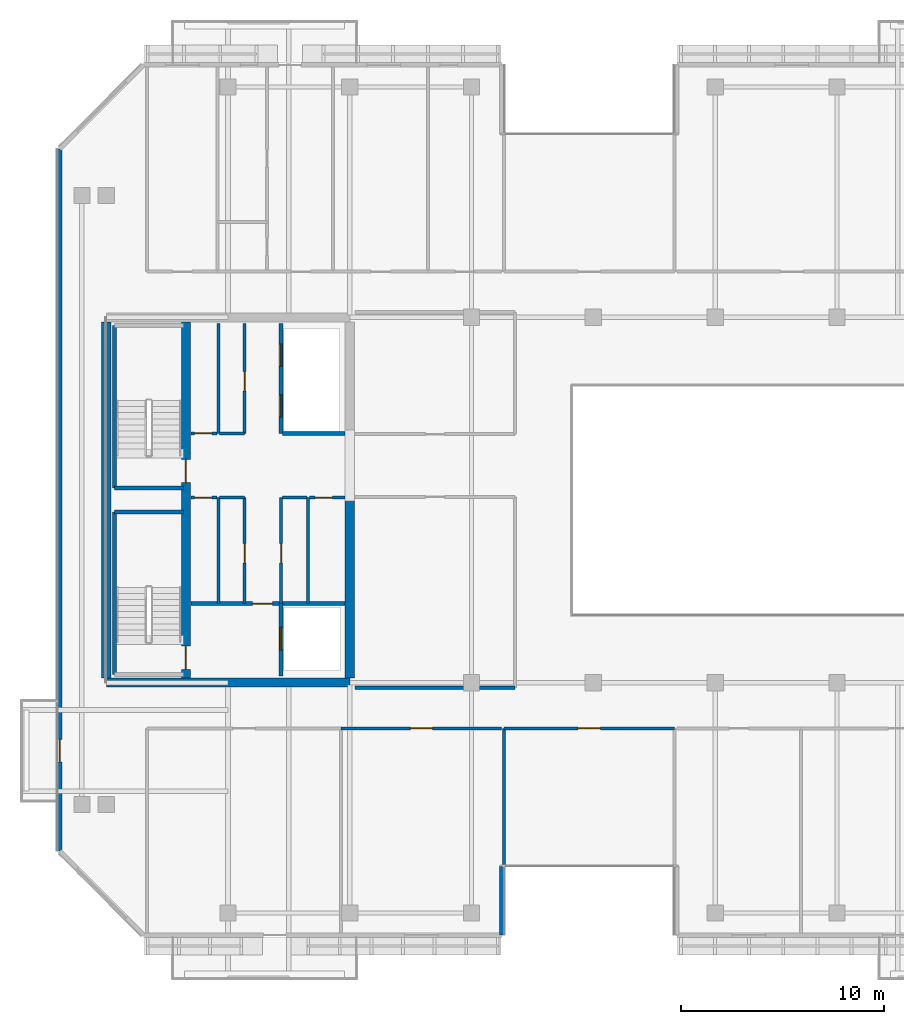
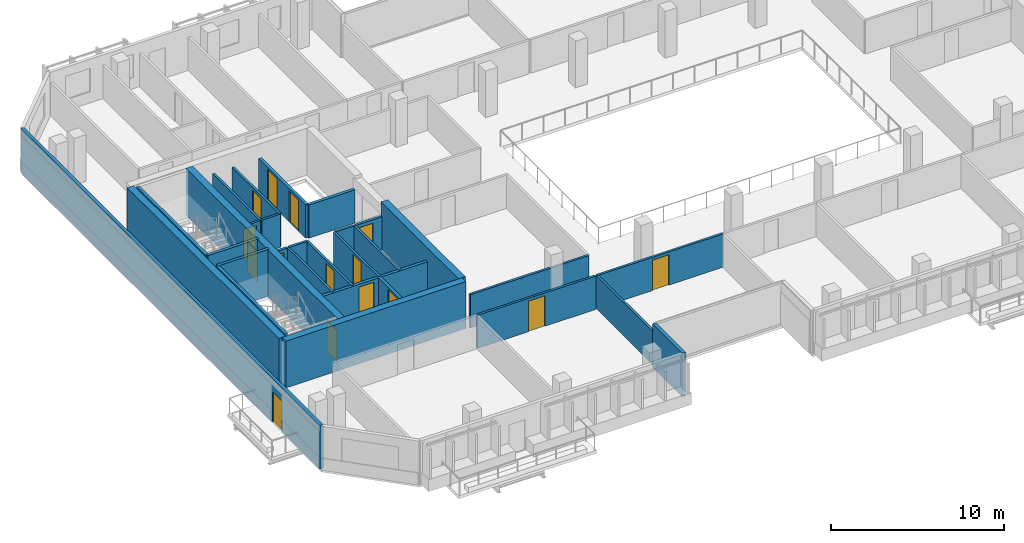
# One storey, part 10 of 22: 30 walls, 15 doors, 15 openings.
"""IFC4 building model written with IfcOpenShell, lengths in metres."""

from ifc_helpers import new_model, si_unit, direction, frame, frame_2d, origin, place, context, subcontext, project, spatial, rectangle, extrude, material, layer, layer_set, type_object, element, fill, save


model = new_model("IFC4")

# Units and contexts
model_context = context("Model", 3, precision=1e-05, world=origin(), true_north=direction((0.0, 1.0)))
body_context = subcontext(model_context, "Body", "Model", "MODEL_VIEW")
ifc_project = project(units=[si_unit("LENGTHUNIT", "METRE"), si_unit("AREAUNIT", "SQUARE_METRE"), si_unit("VOLUMEUNIT", "CUBIC_METRE"), si_unit("PLANEANGLEUNIT", "RADIAN"), si_unit("MASSUNIT", "GRAM", prefix="KILO")], contexts=[model_context])

# Site, building, storey
site_placement = place(None, origin())
site = spatial("IfcSite", under=ifc_project, at=site_placement, CompositionType="ELEMENT")
building_placement = place(site_placement, origin())
building = spatial("IfcBuilding", under=site, at=building_placement, Name="Tanjung Sevakor Pilgrim Tower", CompositionType="ELEMENT")
storey_placement = place(building_placement, frame((0.0, 0.0, 195.030029296875)))
storey = spatial("IfcBuildingStorey", under=building, at=storey_placement, Name="L54", CompositionType="ELEMENT", Elevation=195.030029296875)

# Walls
ifc_material_1 = material(Name="Concrete C60/75", Category="concrete")
ifc_layer_1 = layer(ifc_material_1, 0.449951171875)
ifc_layer_set_1 = layer_set([ifc_layer_1], Name="WALL-CW-450")
wall_type_1 = type_object("IfcWallType", Name="WALL-CW-450", PredefinedType="SHEAR", material=ifc_layer_set_1)
wall_1_placement = place(storey_placement, frame((24.0, 24.60009765625, 0.0), z_axis=(0.0, 0.0, 1.0), x_axis=(1.0, 0.0, 0.0)))
element("IfcWall", 1, at=wall_1_placement, inside=storey, type_object=wall_type_1, Name="L54 W Core South Shear Wall", PredefinedType="SHEAR", context=body_context, shape_type="SweptSolid", body=[
    extrude(rectangle(XDim=12.0, YDim=0.449951171875, at=frame_2d((6.0, 0.0))), origin(), (0.0, 0.0, 1.0), 3.300048828125),
])
wall_2_placement = place(storey_placement, frame((24.0, 24.824951171875, 0.0), z_axis=(0.0, 0.0, 1.0), x_axis=(0.0, 1.0, 0.0)))
element("IfcWall", 2, at=wall_2_placement, inside=storey, type_object=wall_type_1, Name="L54 W Core Outer Shear Wall", PredefinedType="SHEAR", context=body_context, shape_type="SweptSolid", body=[
    extrude(rectangle(XDim=17.550048828125, YDim=0.449951171875, at=frame_2d((8.77490234375, 0.0))), origin(), (0.0, 0.0, 1.0), 3.300048828125),
])
wall_3_placement = place(storey_placement, frame((36.0, 24.824951171875, 0.0), z_axis=(0.0, 0.0, 1.0), x_axis=(0.0, 1.0, 0.0)))
element("IfcWall", 3, at=wall_3_placement, inside=storey, type_object=wall_type_1, Name="L54 W Core Inner Shear Wall South", PredefinedType="SHEAR", context=body_context, shape_type="SweptSolid", body=[
    extrude(rectangle(XDim=8.97509765625, YDim=0.449951171875, at=frame_2d((4.487548828125, 0.0))), origin(), (0.0, 0.0, 1.0), 3.300048828125),
])

# Wall, openings, doors
wall_4_placement = place(storey_placement, frame((27.925048828125, 24.824951171875, 0.0), z_axis=(0.0, 0.0, 1.0), x_axis=(0.0, 1.0, 0.0)))
wall_4 = element("IfcWall", 4, at=wall_4_placement, inside=storey, type_object=wall_type_1, Name="L54 W Core Stair Spine Wall", PredefinedType="SHEAR", context=body_context, shape_type="SweptSolid", body=[
    extrude(rectangle(XDim=17.550048828125, YDim=0.449951171875, at=frame_2d((8.77490234375, 0.0))), origin(), (0.0, 0.0, 1.0), 3.300048828125),
])
opening_1_placement = place(wall_4_placement, frame((0.425048828125, 0.0, 0.0)))
opening_1 = element("IfcOpeningElement", 5, at=opening_1_placement, cuts=wall_4, Name="Opening ID-ST1", PredefinedType="OPENING", context=body_context, shape_type="SweptSolid", body=[
    extrude(rectangle(XDim=1.14990234375, YDim=2.14990234375, at=frame_2d((0.574951171875, 1.074951171875))), frame((0.0, 0.23486328125, 0.0), z_axis=(0.0, -1.0, 0.0), x_axis=(1.0, 0.0, 0.0)), (0.0, 0.0, 1.0), 0.469970703125),
])
opening_2_placement = place(wall_4_placement, frame((9.625, 0.0, 0.0)))
opening_2 = element("IfcOpeningElement", 6, at=opening_2_placement, cuts=wall_4, Name="Opening ID-ST1", PredefinedType="OPENING", context=body_context, shape_type="SweptSolid", body=[
    extrude(rectangle(XDim=1.14990234375, YDim=2.14990234375, at=frame_2d((0.574951171875, 1.074951171875))), frame((0.0, 0.23486328125, 0.0), z_axis=(0.0, -1.0, 0.0), x_axis=(1.0, 0.0, 0.0)), (0.0, 0.0, 1.0), 0.469970703125),
])
ifc_material_2 = material(Name="Fire-Rated Steel S355J2", Category="steel")
door_type_1 = type_object("IfcDoorType", Name="DT-FIRE-1150", OperationType="NOTDEFINED", PredefinedType="DOOR", material=ifc_material_2)
door_1_placement = place(opening_1_placement, origin())
door_1 = element("IfcDoor", 7, at=door_1_placement, inside=storey, type_object=door_type_1, Name="L54 TS-W1 Stair Fire Door", OperationType="SINGLE_SWING_RIGHT", OverallHeight=2.14990234375, OverallWidth=1.14990234375, PredefinedType="DOOR", context=body_context, shape_type="SweptSolid", body=[
    extrude(rectangle(XDim=1.14990234375, YDim=2.14990234375, at=frame_2d((0.574951171875, 1.074951171875))), frame((0.0, 0.02490234375, 0.0), z_axis=(0.0, -1.0, 0.0), x_axis=(1.0, 0.0, 0.0)), (0.0, 0.0, 1.0), 0.050048828125),
])
fill(opening_1, door_1)
door_2_placement = place(opening_2_placement, origin())
door_2 = element("IfcDoor", 8, at=door_2_placement, inside=storey, type_object=door_type_1, Name="L54 TS-W2 Stair Fire Door", OperationType="SINGLE_SWING_LEFT", OverallHeight=2.14990234375, OverallWidth=1.14990234375, PredefinedType="DOOR", context=body_context, shape_type="SweptSolid", body=[
    extrude(rectangle(XDim=1.14990234375, YDim=2.14990234375, at=frame_2d((0.574951171875, 1.074951171875))), frame((0.0, 0.02490234375, 0.0), z_axis=(0.0, -1.0, 0.0), x_axis=(1.0, 0.0, 0.0)), (0.0, 0.0, 1.0), 0.050048828125),
])
fill(opening_2, door_2)

# Wall
ifc_material_3 = material(Name="Concrete C40/50", Category="concrete")
ifc_layer_2 = layer(ifc_material_3, 0.14990234375)
ifc_layer_set_2 = layer_set([ifc_layer_2], Name="WT-COMP-150")
wall_type_2 = type_object("IfcWallType", Name="WT-COMP-150", PredefinedType="SOLIDWALL", material=ifc_layer_set_2)
wall_5_placement = place(storey_placement, frame((29.52001953125, 28.5, 0.0), z_axis=(0.0, 0.0, 1.0), x_axis=(0.0, 1.0, 0.0)))
element("IfcWall", 9, at=wall_5_placement, inside=storey, type_object=wall_type_2, Name="L54 Partition IW-L54-003", PredefinedType="SOLIDWALL", context=body_context, shape_type="SweptSolid", body=[
    extrude(rectangle(XDim=5.219970703125, YDim=0.14990234375, at=frame_2d((2.60986328125, 0.0))), origin(), (0.0, 0.0, 1.0), 2.35009765625),
])

# Wall, opening, door
wall_6_placement = place(storey_placement, frame((28.169921875, 33.719970703125, 0.0), z_axis=(0.0, 0.0, 1.0), x_axis=(1.0, 0.0, 0.0)))
wall_6 = element("IfcWall", 10, at=wall_6_placement, inside=storey, type_object=wall_type_2, Name="L54 Partition IW-L54-004", PredefinedType="SOLIDWALL", context=body_context, shape_type="SweptSolid", body=[
    extrude(rectangle(XDim=1.280029296875, YDim=0.14990234375, at=frame_2d((0.64013671875, 0.0))), origin(), (0.0, 0.0, 1.0), 2.35009765625),
])
opening_3_placement = place(wall_6_placement, frame((0.179931640625, 0.0, 0.0)))
opening_3 = element("IfcOpeningElement", 11, at=opening_3_placement, cuts=wall_6, Name="Opening ID-FD3", PredefinedType="OPENING", context=body_context, shape_type="SweptSolid", body=[
    extrude(rectangle(XDim=0.85009765625, YDim=2.10009765625, at=frame_2d((0.425048828125, 1.050048828125))), frame((0.0, 0.0849609375, 0.0), z_axis=(0.0, -1.0, 0.0), x_axis=(1.0, 0.0, 0.0)), (0.0, 0.0, 1.0), 0.169921875),
])
ifc_material_4 = material(Name="Fire-Rated Timber", Category="wood")
door_type_2 = type_object("IfcDoorType", Name="DT-FIRE-850", OperationType="NOTDEFINED", PredefinedType="DOOR", material=ifc_material_4)
door_3_placement = place(opening_3_placement, origin())
door_3 = element("IfcDoor", 12, at=door_3_placement, inside=storey, type_object=door_type_2, Name="L54 Cleaner Store Door", OperationType="SINGLE_SWING_RIGHT", OverallHeight=2.10009765625, OverallWidth=0.85009765625, PredefinedType="DOOR", context=body_context, shape_type="SweptSolid", body=[
    extrude(rectangle(XDim=0.85009765625, YDim=2.10009765625, at=frame_2d((0.425048828125, 1.050048828125))), frame((0.0, 0.02490234375, 0.0), z_axis=(0.0, -1.0, 0.0), x_axis=(1.0, 0.0, 0.0)), (0.0, 0.0, 1.0), 0.050048828125),
])
fill(opening_3, door_3)

# Wall
wall_7_placement = place(storey_placement, frame((29.580078125, 33.719970703125, 0.0), z_axis=(0.0, 0.0, 1.0), x_axis=(1.0, 0.0, 0.0)))
element("IfcWall", 13, at=wall_7_placement, inside=storey, type_object=wall_type_2, Name="L54 Partition IW-L54-005", PredefinedType="SOLIDWALL", context=body_context, shape_type="SweptSolid", body=[
    extrude(rectangle(XDim=1.219970703125, YDim=0.14990234375, at=frame_2d((0.60986328125, 0.0))), origin(), (0.0, 0.0, 1.0), 2.35009765625),
])

# Wall, opening, door
wall_8_placement = place(storey_placement, frame((30.820068359375, 28.5, 0.0), z_axis=(0.0, 0.0, 1.0), x_axis=(0.0, 1.0, 0.0)))
wall_8 = element("IfcWall", 14, at=wall_8_placement, inside=storey, type_object=wall_type_2, Name="L54 Partition IW-L54-006", PredefinedType="SOLIDWALL", context=body_context, shape_type="SweptSolid", body=[
    extrude(rectangle(XDim=5.219970703125, YDim=0.14990234375, at=frame_2d((2.60986328125, 0.0))), origin(), (0.0, 0.0, 1.0), 2.35009765625),
])
opening_4_placement = place(wall_8_placement, frame((2.0, 0.0, 0.0)))
opening_4 = element("IfcOpeningElement", 15, at=opening_4_placement, cuts=wall_8, Name="Opening ID-FD2", PredefinedType="OPENING", context=body_context, shape_type="SweptSolid", body=[
    extrude(rectangle(XDim=0.949951171875, YDim=2.14990234375, at=frame_2d((0.47509765625, 1.074951171875))), frame((0.0, 0.0849609375, 0.0), z_axis=(0.0, -1.0, 0.0), x_axis=(1.0, 0.0, 0.0)), (0.0, 0.0, 1.0), 0.169921875),
])
ifc_material_5 = material(Name="Fire-Rated Timber", Category="wood")
door_type_3 = type_object("IfcDoorType", Name="DT-FIRE-950", OperationType="NOTDEFINED", PredefinedType="DOOR", material=ifc_material_5)
door_4_placement = place(opening_4_placement, origin())
door_4 = element("IfcDoor", 16, at=door_4_placement, inside=storey, type_object=door_type_3, Name="L54 Housekeeping Pantry Door", OperationType="SINGLE_SWING_LEFT", OverallHeight=2.14990234375, OverallWidth=0.949951171875, PredefinedType="DOOR", context=body_context, shape_type="SweptSolid", body=[
    extrude(rectangle(XDim=0.949951171875, YDim=2.14990234375, at=frame_2d((0.47509765625, 1.074951171875))), frame((0.0, 0.02490234375, 0.0), z_axis=(0.0, -1.0, 0.0), x_axis=(1.0, 0.0, 0.0)), (0.0, 0.0, 1.0), 0.050048828125),
])
fill(opening_4, door_4)

# Walls
wall_9_placement = place(storey_placement, frame((33.949951171875, 28.5, 0.0), z_axis=(0.0, 0.0, 1.0), x_axis=(0.0, 1.0, 0.0)))
element("IfcWall", 17, at=wall_9_placement, inside=storey, type_object=wall_type_2, Name="L54 Partition IW-L54-007", PredefinedType="SOLIDWALL", context=body_context, shape_type="SweptSolid", body=[
    extrude(rectangle(XDim=5.219970703125, YDim=0.14990234375, at=frame_2d((2.60986328125, 0.0))), origin(), (0.0, 0.0, 1.0), 2.35009765625),
])
wall_10_placement = place(storey_placement, frame((32.679931640625, 33.719970703125, 0.0), z_axis=(0.0, 0.0, 1.0), x_axis=(1.0, 0.0, 0.0)))
element("IfcWall", 18, at=wall_10_placement, inside=storey, type_object=wall_type_2, Name="L54 Partition IW-L54-008", PredefinedType="SOLIDWALL", context=body_context, shape_type="SweptSolid", body=[
    extrude(rectangle(XDim=1.2099609375, YDim=0.14990234375, at=frame_2d((0.60498046875, 0.0))), origin(), (0.0, 0.0, 1.0), 2.35009765625),
])

# Wall, opening, door
wall_11_placement = place(storey_placement, frame((34.010009765625, 33.719970703125, 0.0), z_axis=(0.0, 0.0, 1.0), x_axis=(1.0, 0.0, 0.0)))
wall_11 = element("IfcWall", 19, at=wall_11_placement, inside=storey, type_object=wall_type_2, Name="L54 Partition IW-L54-009", PredefinedType="SOLIDWALL", context=body_context, shape_type="SweptSolid", body=[
    extrude(rectangle(XDim=1.744873046875, YDim=0.14990234375, at=frame_2d((0.87255859375, 0.0))), origin(), (0.0, 0.0, 1.0), 2.35009765625),
])
opening_5_placement = place(wall_11_placement, frame((0.280029296875, 0.0, 0.0)))
opening_5 = element("IfcOpeningElement", 20, at=opening_5_placement, cuts=wall_11, Name="Opening ID-FD3", PredefinedType="OPENING", context=body_context, shape_type="SweptSolid", body=[
    extrude(rectangle(XDim=0.85009765625, YDim=2.10009765625, at=frame_2d((0.425048828125, 1.050048828125))), frame((0.0, 0.0849609375, 0.0), z_axis=(0.0, -1.0, 0.0), x_axis=(1.0, 0.0, 0.0)), (0.0, 0.0, 1.0), 0.169921875),
])
door_5_placement = place(opening_5_placement, origin())
door_5 = element("IfcDoor", 21, at=door_5_placement, inside=storey, type_object=door_type_2, Name="L54 Service Store Door", OperationType="SINGLE_SWING_RIGHT", OverallHeight=2.10009765625, OverallWidth=0.85009765625, PredefinedType="DOOR", context=body_context, shape_type="SweptSolid", body=[
    extrude(rectangle(XDim=0.85009765625, YDim=2.10009765625, at=frame_2d((0.425048828125, 1.050048828125))), frame((0.0, 0.02490234375, 0.0), z_axis=(0.0, -1.0, 0.0), x_axis=(1.0, 0.0, 0.0)), (0.0, 0.0, 1.0), 0.050048828125),
])
fill(opening_5, door_5)

wall_12_placement = place(storey_placement, frame((32.6201171875, 28.5, 0.0), z_axis=(0.0, 0.0, 1.0), x_axis=(0.0, 1.0, 0.0)))
wall_12 = element("IfcWall", 22, at=wall_12_placement, inside=storey, type_object=wall_type_2, Name="L54 Partition IW-L54-010", PredefinedType="SOLIDWALL", context=body_context, shape_type="SweptSolid", body=[
    extrude(rectangle(XDim=5.219970703125, YDim=0.14990234375, at=frame_2d((2.60986328125, 0.0))), origin(), (0.0, 0.0, 1.0), 2.35009765625),
])
opening_6_placement = place(wall_12_placement, frame((2.0, 0.0, 0.0)))
opening_6 = element("IfcOpeningElement", 23, at=opening_6_placement, cuts=wall_12, Name="Opening ID-FD2", PredefinedType="OPENING", context=body_context, shape_type="SweptSolid", body=[
    extrude(rectangle(XDim=0.949951171875, YDim=2.14990234375, at=frame_2d((0.47509765625, 1.074951171875))), frame((0.0, 0.0849609375, 0.0), z_axis=(0.0, -1.0, 0.0), x_axis=(1.0, 0.0, 0.0)), (0.0, 0.0, 1.0), 0.169921875),
])
door_6_placement = place(opening_6_placement, origin())
door_6 = element("IfcDoor", 24, at=door_6_placement, inside=storey, type_object=door_type_3, Name="L54 Accessible WC Door", OperationType="SINGLE_SWING_LEFT", OverallHeight=2.14990234375, OverallWidth=0.949951171875, PredefinedType="DOOR", context=body_context, shape_type="SweptSolid", body=[
    extrude(rectangle(XDim=0.949951171875, YDim=2.14990234375, at=frame_2d((0.47509765625, 1.074951171875))), frame((0.0, 0.02490234375, 0.0), z_axis=(0.0, -1.0, 0.0), x_axis=(1.0, 0.0, 0.0)), (0.0, 0.0, 1.0), 0.050048828125),
])
fill(opening_6, door_6)

# Wall
wall_13_placement = place(storey_placement, frame((29.52001953125, 36.8798828125, 0.0), z_axis=(0.0, 0.0, 1.0), x_axis=(0.0, 1.0, 0.0)))
element("IfcWall", 25, at=wall_13_placement, inside=storey, type_object=wall_type_2, Name="L54 Partition IW-L54-011", PredefinedType="SOLIDWALL", context=body_context, shape_type="SweptSolid", body=[
    extrude(rectangle(XDim=5.420166015625, YDim=0.14990234375, at=frame_2d((2.7099609375, 0.0))), origin(), (0.0, 0.0, 1.0), 2.35009765625),
])

# Wall, opening, door
wall_14_placement = place(storey_placement, frame((28.169921875, 36.8798828125, 0.0), z_axis=(0.0, 0.0, 1.0), x_axis=(1.0, 0.0, 0.0)))
wall_14 = element("IfcWall", 26, at=wall_14_placement, inside=storey, type_object=wall_type_2, Name="L54 Partition IW-L54-012", PredefinedType="SOLIDWALL", context=body_context, shape_type="SweptSolid", body=[
    extrude(rectangle(XDim=1.280029296875, YDim=0.14990234375, at=frame_2d((0.64013671875, 0.0))), origin(), (0.0, 0.0, 1.0), 2.35009765625),
])
opening_7_placement = place(wall_14_placement, frame((0.179931640625, 0.0, 0.0)))
opening_7 = element("IfcOpeningElement", 27, at=opening_7_placement, cuts=wall_14, Name="Opening ID-FD3", PredefinedType="OPENING", context=body_context, shape_type="SweptSolid", body=[
    extrude(rectangle(XDim=0.85009765625, YDim=2.10009765625, at=frame_2d((0.425048828125, 1.050048828125))), frame((0.0, 0.0849609375, 0.0), z_axis=(0.0, -1.0, 0.0), x_axis=(1.0, 0.0, 0.0)), (0.0, 0.0, 1.0), 0.169921875),
])
door_7_placement = place(opening_7_placement, origin())
door_7 = element("IfcDoor", 28, at=door_7_placement, inside=storey, type_object=door_type_2, Name="L54 Service Store Door", OperationType="SINGLE_SWING_RIGHT", OverallHeight=2.10009765625, OverallWidth=0.85009765625, PredefinedType="DOOR", context=body_context, shape_type="SweptSolid", body=[
    extrude(rectangle(XDim=0.85009765625, YDim=2.10009765625, at=frame_2d((0.425048828125, 1.050048828125))), frame((0.0, 0.02490234375, 0.0), z_axis=(0.0, -1.0, 0.0), x_axis=(1.0, 0.0, 0.0)), (0.0, 0.0, 1.0), 0.050048828125),
])
fill(opening_7, door_7)

# Wall
wall_15_placement = place(storey_placement, frame((29.580078125, 36.8798828125, 0.0), z_axis=(0.0, 0.0, 1.0), x_axis=(1.0, 0.0, 0.0)))
element("IfcWall", 29, at=wall_15_placement, inside=storey, type_object=wall_type_2, Name="L54 Partition IW-L54-013", PredefinedType="SOLIDWALL", context=body_context, shape_type="SweptSolid", body=[
    extrude(rectangle(XDim=1.219970703125, YDim=0.14990234375, at=frame_2d((0.60986328125, 0.0))), origin(), (0.0, 0.0, 1.0), 2.35009765625),
])

# Wall, opening, door
wall_16_placement = place(storey_placement, frame((30.820068359375, 36.8798828125, 0.0), z_axis=(0.0, 0.0, 1.0), x_axis=(0.0, 1.0, 0.0)))
wall_16 = element("IfcWall", 30, at=wall_16_placement, inside=storey, type_object=wall_type_2, Name="L54 Partition IW-L54-014", PredefinedType="SOLIDWALL", context=body_context, shape_type="SweptSolid", body=[
    extrude(rectangle(XDim=5.420166015625, YDim=0.14990234375, at=frame_2d((2.7099609375, 0.0))), origin(), (0.0, 0.0, 1.0), 2.35009765625),
])
opening_8_placement = place(wall_16_placement, frame((2.10009765625, 0.0, 0.0)))
opening_8 = element("IfcOpeningElement", 31, at=opening_8_placement, cuts=wall_16, Name="Opening ID-FD2", PredefinedType="OPENING", context=body_context, shape_type="SweptSolid", body=[
    extrude(rectangle(XDim=0.949951171875, YDim=2.14990234375, at=frame_2d((0.47509765625, 1.074951171875))), frame((0.0, 0.0849609375, 0.0), z_axis=(0.0, -1.0, 0.0), x_axis=(1.0, 0.0, 0.0)), (0.0, 0.0, 1.0), 0.169921875),
])
door_8_placement = place(opening_8_placement, origin())
door_8 = element("IfcDoor", 32, at=door_8_placement, inside=storey, type_object=door_type_3, Name="L54 Core Reading Room Door", OperationType="SINGLE_SWING_LEFT", OverallHeight=2.14990234375, OverallWidth=0.949951171875, PredefinedType="DOOR", context=body_context, shape_type="SweptSolid", body=[
    extrude(rectangle(XDim=0.949951171875, YDim=2.14990234375, at=frame_2d((0.47509765625, 1.074951171875))), frame((0.0, 0.02490234375, 0.0), z_axis=(0.0, -1.0, 0.0), x_axis=(1.0, 0.0, 0.0)), (0.0, 0.0, 1.0), 0.050048828125),
])
fill(opening_8, door_8)

# Wall
wall_17_placement = place(storey_placement, frame((36.2451171875, 24.35009765625, 0.0), z_axis=(0.0, 0.0, 1.0), x_axis=(1.0, 0.0, 0.0)))
element("IfcWall", 33, at=wall_17_placement, inside=storey, type_object=wall_type_2, Name="L54 Partition IW-L54-033", PredefinedType="SOLIDWALL", context=body_context, shape_type="SweptSolid", body=[
    extrude(rectangle(XDim=7.90478515625, YDim=0.14990234375, at=frame_2d((3.952392578125, 0.0))), origin(), (0.0, 0.0, 1.0), 2.35009765625),
])

# Wall, opening, door
wall_18_placement = place(storey_placement, frame((43.60009765625, 22.35009765625, 0.0), z_axis=(0.0, 0.0, 1.0), x_axis=(1.0, 0.0, 0.0)))
wall_18 = element("IfcWall", 34, at=wall_18_placement, inside=storey, type_object=wall_type_2, Name="L54 Partition IW-L54-045", PredefinedType="SOLIDWALL", context=body_context, shape_type="SweptSolid", body=[
    extrude(rectangle(XDim=8.39990234375, YDim=0.14990234375, at=frame_2d((4.199951171875, 0.0))), origin(), (0.0, 0.0, 1.0), 2.35009765625),
])
opening_9_placement = place(wall_18_placement, frame((3.64990234375, 0.0, 0.0)))
opening_9 = element("IfcOpeningElement", 35, at=opening_9_placement, cuts=wall_18, Name="Opening ID-RM2", PredefinedType="OPENING", context=body_context, shape_type="SweptSolid", body=[
    extrude(rectangle(XDim=1.10009765625, YDim=2.14990234375, at=frame_2d((0.550048828125, 1.074951171875))), frame((0.0, 0.0849609375, 0.0), z_axis=(0.0, -1.0, 0.0), x_axis=(1.0, 0.0, 0.0)), (0.0, 0.0, 1.0), 0.169921875),
])
ifc_material_6 = material(Name="Hardwood Timber", Category="wood")
door_type_4 = type_object("IfcDoorType", Name="DT-INT-1100", OperationType="NOTDEFINED", PredefinedType="DOOR", material=ifc_material_6)
door_9_placement = place(opening_9_placement, origin())
door_9 = element("IfcDoor", 36, at=door_9_placement, inside=storey, type_object=door_type_4, Name="L54 South Cleft Tea Sanctuary Door", OperationType="SINGLE_SWING_RIGHT", OverallHeight=2.14990234375, OverallWidth=1.10009765625, PredefinedType="DOOR", context=body_context, shape_type="SweptSolid", body=[
    extrude(rectangle(XDim=1.10009765625, YDim=2.14990234375, at=frame_2d((0.550048828125, 1.074951171875))), frame((0.0, 0.02490234375, 0.0), z_axis=(0.0, -1.0, 0.0), x_axis=(1.0, 0.0, 0.0)), (0.0, 0.0, 1.0), 0.050048828125),
])
fill(opening_9, door_9)

# Wall
wall_19_placement = place(storey_placement, frame((43.60009765625, 12.27001953125, 0.0), z_axis=(0.0, 0.0, 1.0), x_axis=(0.0, 1.0, 0.0)))
element("IfcWall", 37, at=wall_19_placement, inside=storey, type_object=wall_type_2, Name="L54 Partition IW-L54-046", PredefinedType="SOLIDWALL", context=body_context, shape_type="SweptSolid", body=[
    extrude(rectangle(XDim=10.080078125, YDim=0.14990234375, at=frame_2d((5.0400390625, 0.0))), origin(), (0.0, 0.0, 1.0), 2.35009765625),
])

# Wall, opening, door
wall_20_placement = place(storey_placement, frame((35.575927734375, 22.35009765625, 0.0), z_axis=(0.0, 0.0, 1.0), x_axis=(1.0, 0.0, 0.0)))
wall_20 = element("IfcWall", 38, at=wall_20_placement, inside=storey, type_object=wall_type_2, Name="L54 Partition IW-L54-054", PredefinedType="SOLIDWALL", context=body_context, shape_type="SweptSolid", body=[
    extrude(rectangle(XDim=7.904052734375, YDim=0.14990234375, at=frame_2d((3.9521484375, 0.0))), origin(), (0.0, 0.0, 1.0), 2.35009765625),
])
opening_10_placement = place(wall_20_placement, frame((3.402099609375, 0.0, 0.0)))
opening_10 = element("IfcOpeningElement", 39, at=opening_10_placement, cuts=wall_20, Name="Opening ID-FD0", PredefinedType="OPENING", context=body_context, shape_type="SweptSolid", body=[
    extrude(rectangle(XDim=1.10009765625, YDim=2.14990234375, at=frame_2d((0.550048828125, 1.074951171875))), frame((0.0, 0.0849609375, 0.0), z_axis=(0.0, -1.0, 0.0), x_axis=(1.0, 0.0, 0.0)), (0.0, 0.0, 1.0), 0.169921875),
])
ifc_material_7 = material(Name="Fire-Rated Steel S355J2", Category="steel")
door_type_5 = type_object("IfcDoorType", Name="DT-FIRE-1100", OperationType="NOTDEFINED", PredefinedType="DOOR", material=ifc_material_7)
door_10_placement = place(opening_10_placement, origin())
door_10 = element("IfcDoor", 40, at=door_10_placement, inside=storey, type_object=door_type_5, Name="Council Room Door", OperationType="SINGLE_SWING_LEFT", OverallHeight=2.14990234375, OverallWidth=1.10009765625, PredefinedType="DOOR", context=body_context, shape_type="SweptSolid", body=[
    extrude(rectangle(XDim=1.10009765625, YDim=2.14990234375, at=frame_2d((0.550048828125, 1.074951171875))), frame((0.0, 0.02490234375, 0.0), z_axis=(0.0, -1.0, 0.0), x_axis=(1.0, 0.0, 0.0)), (0.0, 0.0, 1.0), 0.050048828125),
])
fill(opening_10, door_10)

# Wall
ifc_material_8 = material(Name="Precast concrete C45/55", Category="concrete")
ifc_layer_3 = layer(ifc_material_8, 0.219970703125)
ifc_layer_set_3 = layer_set([ifc_layer_3], Name="WT-EW-STN4")
wall_type_3 = type_object("IfcWallType", Name="WT-EW-STN4", PredefinedType="SOLIDWALL", material=ifc_layer_set_3)
wall_21_placement = place(storey_placement, frame((43.489990234375, 12.159912109375, 0.0), z_axis=(0.0, 0.0, 1.0), x_axis=(0.0, 1.0, 0.0)))
element("IfcWall", 41, at=wall_21_placement, inside=storey, type_object=wall_type_3, Name="L54 MAIN Exterior Wall 2", PredefinedType="SOLIDWALL", context=body_context, shape_type="SweptSolid", body=[
    extrude(rectangle(XDim=3.400146484375, YDim=0.219970703125, at=frame_2d((1.7001953125, 0.0))), origin(), (0.0, 0.0, 1.0), 3.080078125),
])

# Wall, opening, door
wall_22_placement = place(storey_placement, frame((21.7099609375, 50.904296875, 0.0), z_axis=(0.0, 0.0, 1.0), x_axis=(0.0, -1.0, 0.0)))
wall_22 = element("IfcWall", 42, at=wall_22_placement, inside=storey, type_object=wall_type_3, Name="L54 MAIN Exterior Wall 15", PredefinedType="SOLIDWALL", context=body_context, shape_type="SweptSolid", body=[
    extrude(rectangle(XDim=34.608642578125, YDim=0.219970703125, at=frame_2d((17.30419921875, 0.0))), origin(), (0.0, 0.0, 1.0), 3.080078125),
])
opening_11_placement = place(wall_22_placement, frame((29.1044921875, 0.0, 0.0)))
opening_11 = element("IfcOpeningElement", 43, at=opening_11_placement, cuts=wall_22, Name="Opening ED-BAL-1100", PredefinedType="OPENING", context=body_context, shape_type="SweptSolid", body=[
    extrude(rectangle(XDim=1.10009765625, YDim=2.14990234375, at=frame_2d((0.550048828125, 1.074951171875))), frame((0.0, 0.119873046875, 0.0), z_axis=(0.0, -1.0, 0.0), x_axis=(1.0, 0.0, 0.0)), (0.0, 0.0, 1.0), 0.239990234375),
])
ifc_material_9 = material(Name="Anodised Aluminium and Laminated Glass", Category="aluminium")
door_type_6 = type_object("IfcDoorType", Name="DTYP-ED-BAL-1100", OperationType="NOTDEFINED", PredefinedType="DOOR", material=ifc_material_9)
door_11_placement = place(opening_11_placement, frame((1.10009765625, 0.0, 0.0), z_axis=(0.0, 0.0, 1.0), x_axis=(-1.0, 0.0, 0.0)))
door_11 = element("IfcDoor", 44, at=door_11_placement, inside=storey, type_object=door_type_6, Name="L54 West Loggia Door MAIN-W1", OperationType="SINGLE_SWING_RIGHT", OverallHeight=2.14990234375, OverallWidth=1.10009765625, PredefinedType="DOOR", context=body_context, shape_type="SweptSolid", body=[
    extrude(rectangle(XDim=1.10009765625, YDim=2.14990234375, at=frame_2d((0.550048828125, 1.074951171875))), frame((0.0, 0.02490234375, 0.0), z_axis=(0.0, -1.0, 0.0), x_axis=(1.0, 0.0, 0.0)), (0.0, 0.0, 1.0), 0.050048828125),
])
fill(opening_11, door_11)

# Walls
ifc_material_10 = material(Name="Concrete C40/50", Category="concrete")
ifc_layer_4 = layer(ifc_material_10, 0.199951171875)
ifc_layer_set_4 = layer_set([ifc_layer_4], Name="WT-FIRE-200")
wall_type_4 = type_object("IfcWallType", Name="WT-FIRE-200", PredefinedType="SOLIDWALL", material=ifc_layer_set_4)
wall_23_placement = place(storey_placement, frame((27.800048828125, 33.0, 0.0), z_axis=(0.0, 0.0, 1.0), x_axis=(-1.0, 0.0, 0.0)))
element("IfcWall", 45, at=wall_23_placement, inside=storey, type_object=wall_type_4, Name="L54 TS-W1 Shaft Wall 2", PredefinedType="SOLIDWALL", context=body_context, shape_type="SweptSolid", body=[
    extrude(rectangle(XDim=3.400146484375, YDim=0.199951171875, at=frame_2d((1.7001953125, 0.0))), origin(), (0.0, 0.0, 1.0), 3.300048828125),
])
wall_24_placement = place(storey_placement, frame((24.39990234375, 33.0, 0.0), z_axis=(0.0, 0.0, 1.0), x_axis=(0.0, -1.0, 0.0)))
element("IfcWall", 46, at=wall_24_placement, inside=storey, type_object=wall_type_4, Name="L54 TS-W1 Shaft Wall 3", PredefinedType="SOLIDWALL", context=body_context, shape_type="SweptSolid", body=[
    extrude(rectangle(XDim=8.0, YDim=0.199951171875, at=frame_2d((4.0, 0.0))), origin(), (0.0, 0.0, 1.0), 3.300048828125),
])
wall_25_placement = place(storey_placement, frame((24.39990234375, 34.199951171875, 0.0), z_axis=(0.0, 0.0, 1.0), x_axis=(1.0, 0.0, 0.0)))
element("IfcWall", 47, at=wall_25_placement, inside=storey, type_object=wall_type_4, Name="L54 TS-W2 Shaft Wall 1", PredefinedType="SOLIDWALL", context=body_context, shape_type="SweptSolid", body=[
    extrude(rectangle(XDim=3.400146484375, YDim=0.199951171875, at=frame_2d((1.7001953125, 0.0))), origin(), (0.0, 0.0, 1.0), 3.300048828125),
])
wall_26_placement = place(storey_placement, frame((24.39990234375, 42.199951171875, 0.0), z_axis=(0.0, 0.0, 1.0), x_axis=(0.0, -1.0, 0.0)))
element("IfcWall", 48, at=wall_26_placement, inside=storey, type_object=wall_type_4, Name="L54 TS-W2 Shaft Wall 3", PredefinedType="SOLIDWALL", context=body_context, shape_type="SweptSolid", body=[
    extrude(rectangle(XDim=8.0, YDim=0.199951171875, at=frame_2d((4.0, 0.0))), origin(), (0.0, 0.0, 1.0), 3.300048828125),
])

# Wall, opening, door
ifc_material_11 = material(Name="Concrete C40/50", Category="concrete")
ifc_layer_5 = layer(ifc_material_11, 0.199951171875)
ifc_layer_set_5 = layer_set([ifc_layer_5], Name="WT-FPRT-200")
wall_type_5 = type_object("IfcWallType", Name="WT-FPRT-200", PredefinedType="SOLIDWALL", material=ifc_layer_set_5)
wall_27_placement = place(storey_placement, frame((32.60009765625, 24.919921875, 0.0), z_axis=(0.0, 0.0, 1.0), x_axis=(0.0, 1.0, 0.0)))
wall_27 = element("IfcWall", 49, at=wall_27_placement, inside=storey, type_object=wall_type_5, Name="L54 Partition IW-L54-001", PredefinedType="SOLIDWALL", context=body_context, shape_type="SweptSolid", body=[
    extrude(rectangle(XDim=3.580078125, YDim=0.199951171875, at=frame_2d((1.7900390625, 0.0))), origin(), (0.0, 0.0, 1.0), 2.35009765625),
])
opening_12_placement = place(wall_27_placement, frame((1.300048828125, 0.0, 0.0)))
opening_12 = element("IfcOpeningElement", 50, at=opening_12_placement, cuts=wall_27, Name="Opening LD-1100", PredefinedType="OPENING", context=body_context, shape_type="SweptSolid", body=[
    extrude(rectangle(XDim=1.10009765625, YDim=2.199951171875, at=frame_2d((0.550048828125, 1.10009765625))), frame((0.0, 0.10986328125, 0.0), z_axis=(0.0, -1.0, 0.0), x_axis=(1.0, 0.0, 0.0)), (0.0, 0.0, 1.0), 0.219970703125),
])
ifc_material_12 = material(Name="Brushed Stainless Steel S355J2", Category="steel")
door_type_7 = type_object("IfcDoorType", Name="DT-LIFT-1100", OperationType="SLIDING_TO_LEFT", PredefinedType="DOOR", material=ifc_material_12)
door_12_placement = place(opening_12_placement, origin())
door_12 = element("IfcDoor", 51, at=door_12_placement, inside=storey, type_object=door_type_7, Name="LD-FL-W", OperationType="SLIDING_TO_LEFT", OverallHeight=2.199951171875, OverallWidth=1.10009765625, PredefinedType="DOOR", context=body_context, shape_type="SweptSolid", body=[
    extrude(rectangle(XDim=1.10009765625, YDim=2.199951171875, at=frame_2d((0.550048828125, 1.10009765625))), frame((0.0, 0.02490234375, 0.0), z_axis=(0.0, -1.0, 0.0), x_axis=(1.0, 0.0, 0.0)), (0.0, 0.0, 1.0), 0.050048828125),
])
fill(opening_12, door_12)

wall_28_placement = place(storey_placement, frame((28.169921875, 28.5, 0.0), z_axis=(0.0, 0.0, 1.0), x_axis=(1.0, 0.0, 0.0)))
wall_28 = element("IfcWall", 52, at=wall_28_placement, inside=storey, type_object=wall_type_5, Name="L54 Partition IW-L54-002", PredefinedType="SOLIDWALL", context=body_context, shape_type="SweptSolid", body=[
    extrude(rectangle(XDim=7.5849609375, YDim=0.199951171875, at=frame_2d((3.79248046875, 0.0))), origin(), (0.0, 0.0, 1.0), 2.35009765625),
])
opening_13_placement = place(wall_28_placement, frame((3.030029296875, 0.0, 0.0)))
opening_13 = element("IfcOpeningElement", 53, at=opening_13_placement, cuts=wall_28, Name="Opening ID-FD1", PredefinedType="OPENING", context=body_context, shape_type="SweptSolid", body=[
    extrude(rectangle(XDim=1.0, YDim=2.14990234375, at=frame_2d((0.5, 1.074951171875))), frame((0.0, 0.10986328125, 0.0), z_axis=(0.0, -1.0, 0.0), x_axis=(1.0, 0.0, 0.0)), (0.0, 0.0, 1.0), 0.219970703125),
])
ifc_material_13 = material(Name="Fire-Rated Steel S355J2", Category="steel")
door_type_8 = type_object("IfcDoorType", Name="DT-FIRE-1000", OperationType="NOTDEFINED", PredefinedType="DOOR", material=ifc_material_13)
door_13_placement = place(opening_13_placement, origin())
door_13 = element("IfcDoor", 54, at=door_13_placement, inside=storey, type_object=door_type_8, Name="Fire Lobby Door W", OperationType="SINGLE_SWING_LEFT", OverallHeight=2.14990234375, OverallWidth=1.0, PredefinedType="DOOR", context=body_context, shape_type="SweptSolid", body=[
    extrude(rectangle(XDim=1.0, YDim=2.14990234375, at=frame_2d((0.5, 1.074951171875))), frame((0.0, 0.02490234375, 0.0), z_axis=(0.0, -1.0, 0.0), x_axis=(1.0, 0.0, 0.0)), (0.0, 0.0, 1.0), 0.050048828125),
])
fill(opening_13, door_13)

# Wall
wall_29_placement = place(storey_placement, frame((32.679931640625, 36.8798828125, 0.0), z_axis=(0.0, 0.0, 1.0), x_axis=(1.0, 0.0, 0.0)))
element("IfcWall", 55, at=wall_29_placement, inside=storey, type_object=wall_type_5, Name="L54 Partition IW-L54-015", PredefinedType="SOLIDWALL", context=body_context, shape_type="SweptSolid", body=[
    extrude(rectangle(XDim=3.074951171875, YDim=0.199951171875, at=frame_2d((1.53759765625, 0.0))), origin(), (0.0, 0.0, 1.0), 2.35009765625),
])

# Wall, openings, doors
wall_30_placement = place(storey_placement, frame((32.6201171875, 36.8798828125, 0.0), z_axis=(0.0, 0.0, 1.0), x_axis=(0.0, 1.0, 0.0)))
wall_30 = element("IfcWall", 56, at=wall_30_placement, inside=storey, type_object=wall_type_5, Name="L54 Partition IW-L54-016", PredefinedType="SOLIDWALL", context=body_context, shape_type="SweptSolid", body=[
    extrude(rectangle(XDim=5.420166015625, YDim=0.199951171875, at=frame_2d((2.7099609375, 0.0))), origin(), (0.0, 0.0, 1.0), 2.35009765625),
])
opening_14_placement = place(wall_30_placement, frame((0.800048828125, 0.0, 0.0)))
opening_14 = element("IfcOpeningElement", 57, at=opening_14_placement, cuts=wall_30, Name="Opening LD-1100", PredefinedType="OPENING", context=body_context, shape_type="SweptSolid", body=[
    extrude(rectangle(XDim=1.10009765625, YDim=2.199951171875, at=frame_2d((0.550048828125, 1.10009765625))), frame((0.0, 0.10986328125, 0.0), z_axis=(0.0, -1.0, 0.0), x_axis=(1.0, 0.0, 0.0)), (0.0, 0.0, 1.0), 0.219970703125),
])
opening_15_placement = place(wall_30_placement, frame((3.300048828125, 0.0, 0.0)))
opening_15 = element("IfcOpeningElement", 58, at=opening_15_placement, cuts=wall_30, Name="Opening LD-1100", PredefinedType="OPENING", context=body_context, shape_type="SweptSolid", body=[
    extrude(rectangle(XDim=1.10009765625, YDim=2.199951171875, at=frame_2d((0.550048828125, 1.10009765625))), frame((0.0, 0.10986328125, 0.0), z_axis=(0.0, -1.0, 0.0), x_axis=(1.0, 0.0, 0.0)), (0.0, 0.0, 1.0), 0.219970703125),
])
door_14_placement = place(opening_14_placement, origin())
door_14 = element("IfcDoor", 59, at=door_14_placement, inside=storey, type_object=door_type_7, Name="LD-PLH1-W", OperationType="SLIDING_TO_LEFT", OverallHeight=2.199951171875, OverallWidth=1.10009765625, PredefinedType="DOOR", context=body_context, shape_type="SweptSolid", body=[
    extrude(rectangle(XDim=1.10009765625, YDim=2.199951171875, at=frame_2d((0.550048828125, 1.10009765625))), frame((0.0, 0.02490234375, 0.0), z_axis=(0.0, -1.0, 0.0), x_axis=(1.0, 0.0, 0.0)), (0.0, 0.0, 1.0), 0.050048828125),
])
fill(opening_14, door_14)
door_15_placement = place(opening_15_placement, origin())
door_15 = element("IfcDoor", 60, at=door_15_placement, inside=storey, type_object=door_type_7, Name="LD-PLH2-W", OperationType="SLIDING_TO_RIGHT", OverallHeight=2.199951171875, OverallWidth=1.10009765625, PredefinedType="DOOR", context=body_context, shape_type="SweptSolid", body=[
    extrude(rectangle(XDim=1.10009765625, YDim=2.199951171875, at=frame_2d((0.550048828125, 1.10009765625))), frame((0.0, 0.02490234375, 0.0), z_axis=(0.0, -1.0, 0.0), x_axis=(1.0, 0.0, 0.0)), (0.0, 0.0, 1.0), 0.050048828125),
])
fill(opening_15, door_15)

save(model, "model.ifc")
